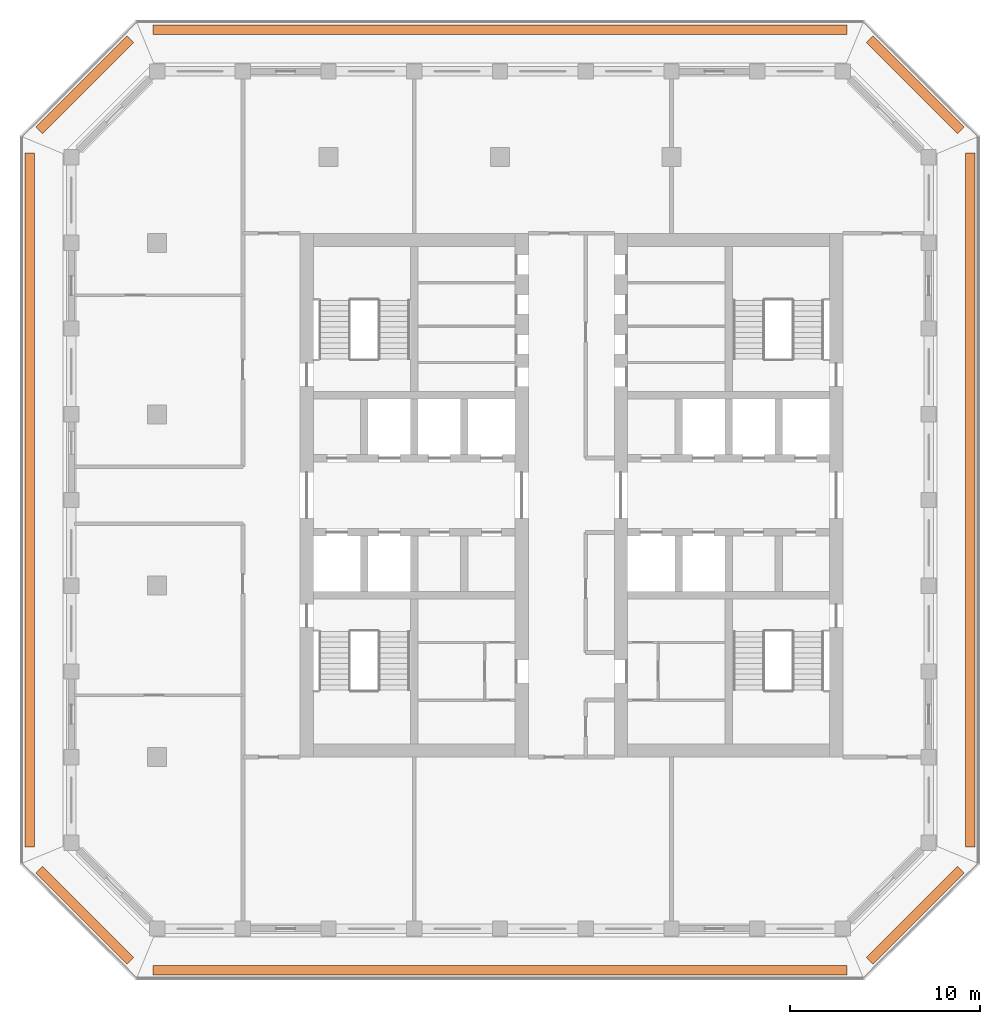
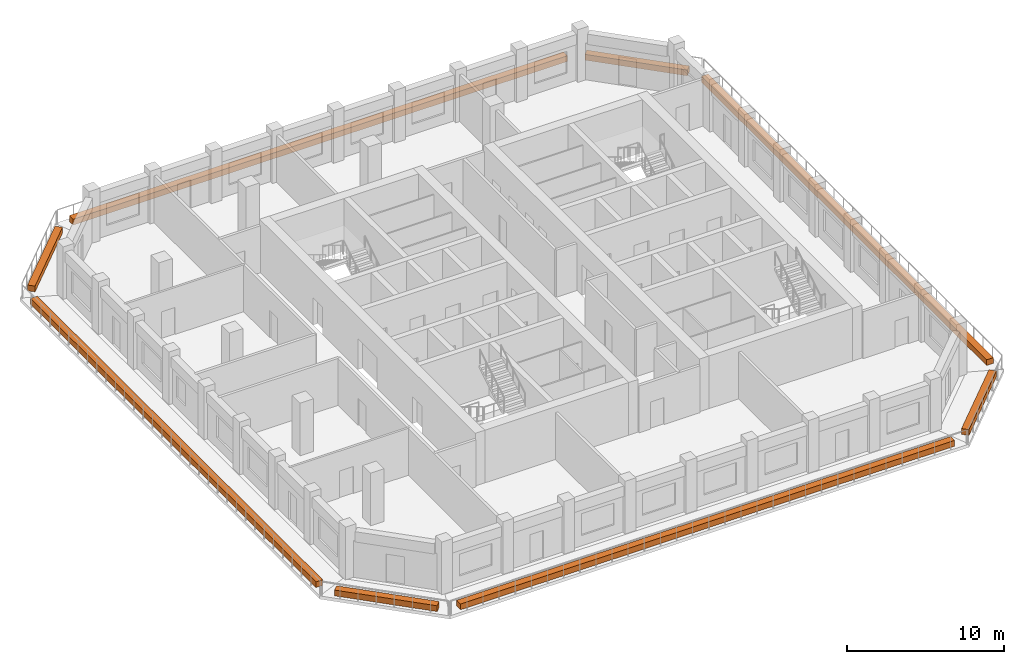
# One storey, part 14 of 14: 8 proxies.
"""IFC4 building model written with IfcOpenShell, lengths in metres."""

from ifc_helpers import new_model, si_unit, direction, frame, origin, origin_2d, place, context, subcontext, project, spatial, rectangle, extrude, material, type_object, element, save


model = new_model("IFC4")

# Units and contexts
model_context = context("Model", 3, precision=1e-05, world=origin(), true_north=direction((0.0, 1.0)))
body_context = subcontext(model_context, "Body", "Model", "MODEL_VIEW")
ifc_project = project(units=[si_unit("LENGTHUNIT", "METRE"), si_unit("AREAUNIT", "SQUARE_METRE"), si_unit("VOLUMEUNIT", "CUBIC_METRE"), si_unit("PLANEANGLEUNIT", "RADIAN"), si_unit("MASSUNIT", "GRAM", prefix="KILO")], contexts=[model_context])

# Site, building, storey
site_placement = place(None, origin())
site = spatial("IfcSite", under=ifc_project, at=site_placement, CompositionType="ELEMENT")
building_placement = place(site_placement, origin())
building = spatial("IfcBuilding", under=site, at=building_placement, Name="Corbel Stack Research Tower", CompositionType="ELEMENT")
storey_placement = place(building_placement, frame((0.0, 0.0, 270.39990234375)))
storey = spatial("IfcBuildingStorey", under=building, at=storey_placement, Name="L61", CompositionType="ELEMENT", Elevation=270.39990234375)

# Proxies
ifc_material = material(Name="Concrete C45/55", Category="concrete")
building_element_proxy_type = type_object("IfcBuildingElementProxyType", Name="Planter box", PredefinedType="USERDEFINED", material=ifc_material)
proxy_1_placement = place(storey_placement, frame((0.0, -20.199951171875, 0.0), z_axis=(0.0, 0.0, 1.0), x_axis=(1.0, 0.0, 0.0)))
element("IfcBuildingElementProxy", 1, at=proxy_1_placement, inside=storey, type_object=building_element_proxy_type, Name="Planter L61 S", ObjectType="PLANTER", PredefinedType="USERDEFINED", context=body_context, shape_type="SweptSolid", body=[
    extrude(rectangle(XDim=36.41064453125, YDim=0.5, at=origin_2d()), origin(), (0.0, 0.0, 1.0), 0.449951171875),
])
proxy_2_placement = place(storey_placement, frame((21.8056640625, -17.3056640625, 0.0), z_axis=(0.0, 0.0, 1.0), x_axis=(0.707106781187, 0.707106781187, 0.0)))
element("IfcBuildingElementProxy", 2, at=proxy_2_placement, inside=storey, type_object=building_element_proxy_type, Name="Planter L61 SE", ObjectType="PLANTER", PredefinedType="USERDEFINED", context=body_context, shape_type="SweptSolid", body=[
    extrude(rectangle(XDim=6.774658203125, YDim=0.5, at=origin_2d()), origin(), (0.0, 0.0, 1.0), 0.449951171875),
])
proxy_3_placement = place(storey_placement, frame((24.699951171875, 4.5, 0.0), z_axis=(0.0, 0.0, 1.0), x_axis=(0.0, 1.0, 0.0)))
element("IfcBuildingElementProxy", 3, at=proxy_3_placement, inside=storey, type_object=building_element_proxy_type, Name="Planter L61 E", ObjectType="PLANTER", PredefinedType="USERDEFINED", context=body_context, shape_type="SweptSolid", body=[
    extrude(rectangle(XDim=36.41064453125, YDim=0.5, at=origin_2d()), origin(), (0.0, 0.0, 1.0), 0.449951171875),
])
proxy_4_placement = place(storey_placement, frame((21.8056640625, 26.3056640625, 0.0), z_axis=(0.0, 0.0, 1.0), x_axis=(-0.707106781187, 0.707106781187, 0.0)))
element("IfcBuildingElementProxy", 4, at=proxy_4_placement, inside=storey, type_object=building_element_proxy_type, Name="Planter L61 NE", ObjectType="PLANTER", PredefinedType="USERDEFINED", context=body_context, shape_type="SweptSolid", body=[
    extrude(rectangle(XDim=6.774658203125, YDim=0.5, at=origin_2d()), origin(), (0.0, 0.0, 1.0), 0.449951171875),
])
proxy_5_placement = place(storey_placement, frame((0.0, 29.199951171875, 0.0), z_axis=(0.0, 0.0, 1.0), x_axis=(-1.0, 0.0, 0.0)))
element("IfcBuildingElementProxy", 5, at=proxy_5_placement, inside=storey, type_object=building_element_proxy_type, Name="Planter L61 N", ObjectType="PLANTER", PredefinedType="USERDEFINED", context=body_context, shape_type="SweptSolid", body=[
    extrude(rectangle(XDim=36.41064453125, YDim=0.5, at=origin_2d()), origin(), (0.0, 0.0, 1.0), 0.449951171875),
])
proxy_6_placement = place(storey_placement, frame((-21.8056640625, 26.3056640625, 0.0), z_axis=(0.0, 0.0, 1.0), x_axis=(-0.707106781187, -0.707106781187, 0.0)))
element("IfcBuildingElementProxy", 6, at=proxy_6_placement, inside=storey, type_object=building_element_proxy_type, Name="Planter L61 NW", ObjectType="PLANTER", PredefinedType="USERDEFINED", context=body_context, shape_type="SweptSolid", body=[
    extrude(rectangle(XDim=6.774658203125, YDim=0.5, at=origin_2d()), origin(), (0.0, 0.0, 1.0), 0.449951171875),
])
proxy_7_placement = place(storey_placement, frame((-24.699951171875, 4.5, 0.0), z_axis=(0.0, 0.0, 1.0), x_axis=(0.0, -1.0, 0.0)))
element("IfcBuildingElementProxy", 7, at=proxy_7_placement, inside=storey, type_object=building_element_proxy_type, Name="Planter L61 W", ObjectType="PLANTER", PredefinedType="USERDEFINED", context=body_context, shape_type="SweptSolid", body=[
    extrude(rectangle(XDim=36.41064453125, YDim=0.5, at=origin_2d()), origin(), (0.0, 0.0, 1.0), 0.449951171875),
])
proxy_8_placement = place(storey_placement, frame((-21.8056640625, -17.3056640625, 0.0), z_axis=(0.0, 0.0, 1.0), x_axis=(0.707106781187, -0.707106781187, 0.0)))
element("IfcBuildingElementProxy", 8, at=proxy_8_placement, inside=storey, type_object=building_element_proxy_type, Name="Planter L61 SW", ObjectType="PLANTER", PredefinedType="USERDEFINED", context=body_context, shape_type="SweptSolid", body=[
    extrude(rectangle(XDim=6.774658203125, YDim=0.5, at=origin_2d()), origin(), (0.0, 0.0, 1.0), 0.449951171875),
])

save(model, "model.ifc")
